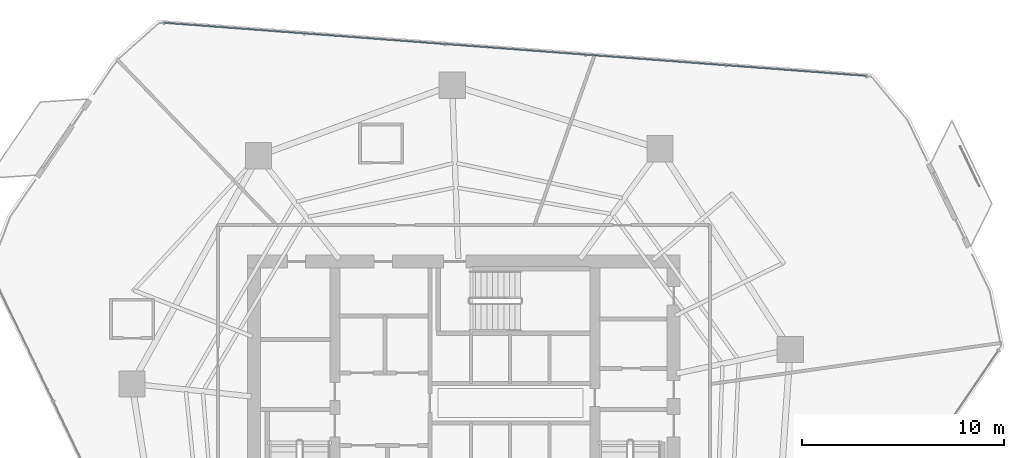
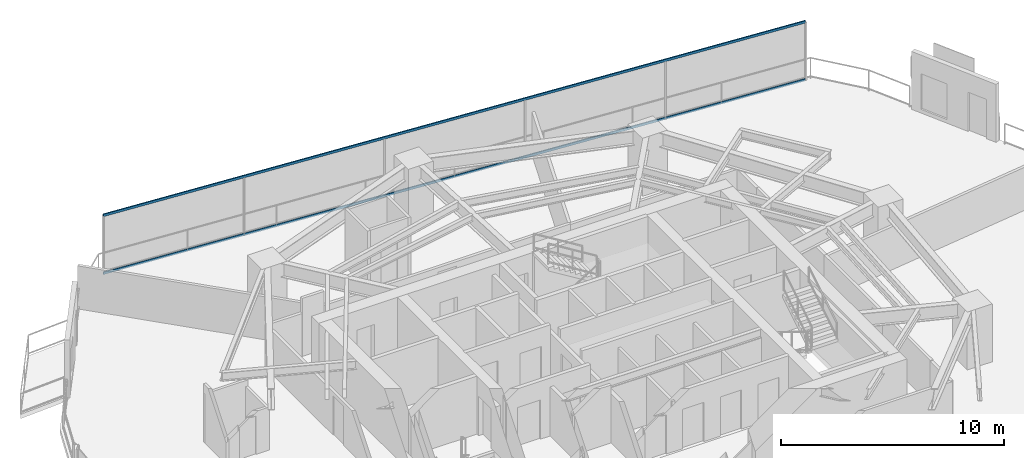
# One storey, part 21 of 30: 2 members, 1 element without a shape of its own.
"""IFC4 building model written with IfcOpenShell, lengths in metres."""

from ifc_helpers import new_model, si_unit, direction, frame, origin, origin_2d, place, context, subcontext, project, spatial, hollow_rectangle, extrude, material, layer, layer_set, material_profile, profile_set, type_object, element, aggregate, save


model = new_model("IFC4")

# Units and contexts
model_context = context("Model", 3, precision=1e-05, world=origin(), true_north=direction((0.0, 1.0)))
body_context = subcontext(model_context, "Body", "Model", "MODEL_VIEW")
ifc_project = project(units=[si_unit("LENGTHUNIT", "METRE"), si_unit("AREAUNIT", "SQUARE_METRE"), si_unit("VOLUMEUNIT", "CUBIC_METRE"), si_unit("PLANEANGLEUNIT", "RADIAN"), si_unit("MASSUNIT", "GRAM", prefix="KILO")], contexts=[model_context])

# Site, building, storey
site_placement = place(None, origin())
site = spatial("IfcSite", under=ifc_project, at=site_placement, CompositionType="ELEMENT")
building_placement = place(site_placement, origin())
building = spatial("IfcBuilding", under=site, at=building_placement, Name="Qarnah Convention Tower", CompositionType="ELEMENT")
storey_placement = place(building_placement, frame((0.0, 0.0, 51.14990234375)))
storey = spatial("IfcBuildingStorey", under=building, at=storey_placement, Name="L12", CompositionType="ELEMENT", Elevation=51.14990234375)

# Curtain wall, members
ifc_material_1 = material(Name="Tempered Low-E dark glass", Category="glass")
ifc_layer = layer(ifc_material_1, 0.16796875)
ifc_layer_set = layer_set([ifc_layer], Name="Tempered Low-E dark glass")
curtain_wall_type = type_object("IfcCurtainWallType", Name="CWS-01", PredefinedType="NOTDEFINED", material=ifc_layer_set)
curtain_wall_placement = place(storey_placement, origin())
curtain_wall = element("IfcCurtainWall", 1, at=curtain_wall_placement, inside=storey, type_object=curtain_wall_type, Name="L12 unitised curtain wall CW-L12-F2", PredefinedType="NOTDEFINED")
ifc_material_2 = material(Name="Black anodised aluminium", Category="aluminium")
ifc_material_profile = material_profile(ifc_material_2, hollow_rectangle(XDim=0.06005859375, YDim=0.1298828125, WallThickness=0.00390625, at=origin_2d()), Name="TRN-60X130")
ifc_profile_set = profile_set([ifc_material_profile], Name="Black anodised aluminium")
member_type = type_object("IfcMemberType", Name="TRN-T1", PredefinedType="USERDEFINED", material=ifc_profile_set)
member_1_placement = place(storey_placement, frame((22.323974609375, 46.035888671875, 0.0), z_axis=(0.99715945078, -0.075319517526, 0.0), x_axis=(0.075319517526, 0.99715945078, 0.0)))
member_1 = element("IfcMember", 2, at=member_1_placement, type_object=member_type, Name="CW-L12-F2 transom 1", ObjectType="TRANSOM", PredefinedType="USERDEFINED", context=body_context, shape_type="SweptSolid", body=[
    extrude(hollow_rectangle(XDim=0.06005859375, YDim=0.1298828125, WallThickness=0.00390625, at=origin_2d()), origin(), (0.0, 0.0, 1.0), 34.955322265625),
])
member_2_placement = place(storey_placement, frame((22.323974609375, 46.035888671875, 3.170166015625), z_axis=(0.99715945078, -0.075319517526, 0.0), x_axis=(0.075319517526, 0.99715945078, 0.0)))
member_2 = element("IfcMember", 3, at=member_2_placement, type_object=member_type, Name="CW-L12-F2 transom 2", ObjectType="TRANSOM", PredefinedType="USERDEFINED", context=body_context, shape_type="SweptSolid", body=[
    extrude(hollow_rectangle(XDim=0.06005859375, YDim=0.1298828125, WallThickness=0.00390625, at=origin_2d()), origin(), (0.0, 0.0, 1.0), 34.955322265625),
])
aggregate(curtain_wall, [member_1, member_2])

save(model, "model.ifc")
